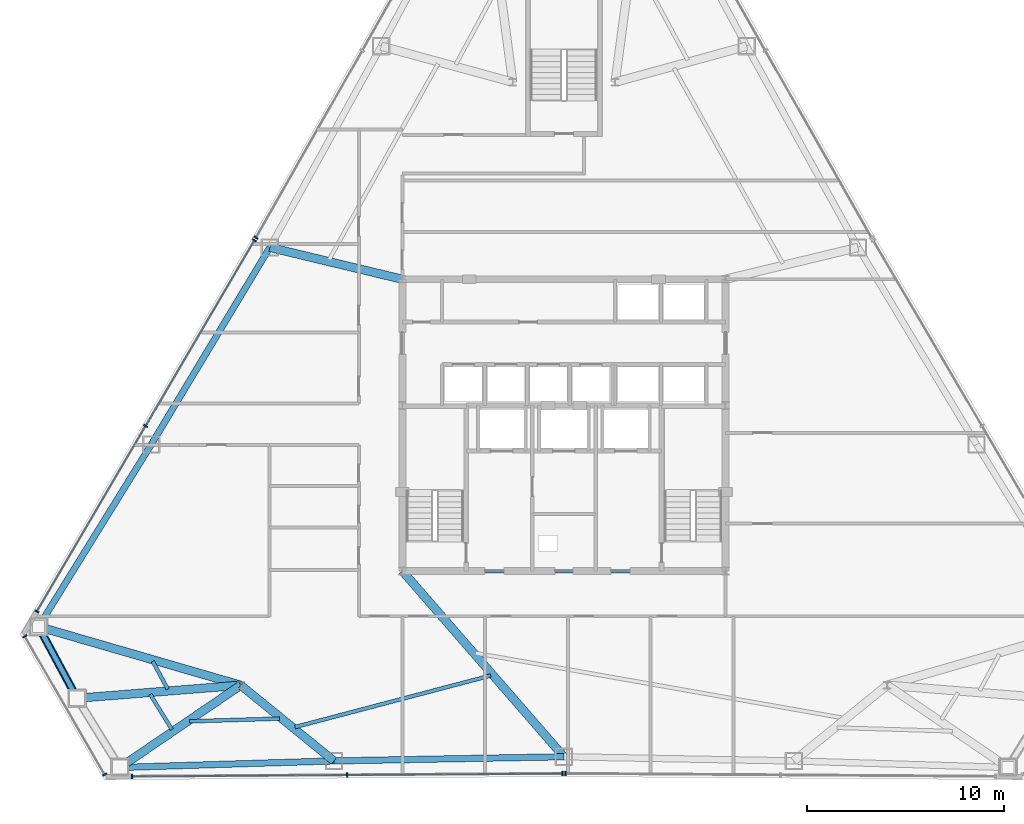
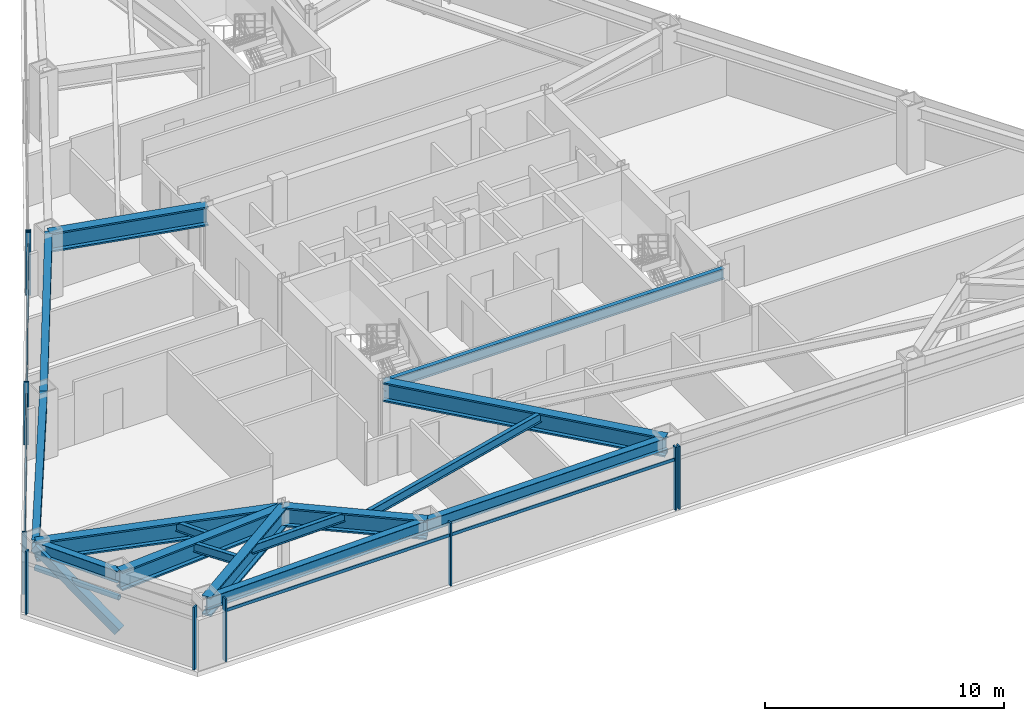
# One storey, part 4 of 13: 16 beams, 14 members, 5 elements without a shape of their own.
"""IFC4 building model written with IfcOpenShell, lengths in metres."""

from ifc_helpers import new_model, si_unit, direction, frame, origin, origin_2d, place, context, subcontext, project, spatial, rectangle, hollow_rectangle, hollow_circle, i_section, extrude, source, transform, mapped, material, layer, layer_set, material_profile, profile_set, type_object, type_shapes, element, aggregate, save


model = new_model("IFC4")

# Units and contexts
model_context = context("Model", 3, precision=1e-05, world=origin(), true_north=direction((0.0, 1.0)))
body_context = subcontext(model_context, "Body", "Model", "MODEL_VIEW")
ifc_project = project(units=[si_unit("LENGTHUNIT", "METRE"), si_unit("AREAUNIT", "SQUARE_METRE"), si_unit("VOLUMEUNIT", "CUBIC_METRE"), si_unit("PLANEANGLEUNIT", "RADIAN"), si_unit("MASSUNIT", "GRAM", prefix="KILO")], contexts=[model_context])

# Site, building, storey
site_placement = place(None, origin())
site = spatial("IfcSite", under=ifc_project, at=site_placement, CompositionType="ELEMENT")
building_placement = place(site_placement, origin())
building = spatial("IfcBuilding", under=site, at=building_placement, Name="Varakhsha Concourse Tower", CompositionType="ELEMENT")
storey_placement = place(building_placement, frame((0.0, 0.0, 136.699951171875)))
storey = spatial("IfcBuildingStorey", under=building, at=storey_placement, Name="L39", CompositionType="ELEMENT", Elevation=136.699951171875)

# Beams
ifc_material_1 = material(Name="Structural Steel ASTM A992 Grade 50", Category="steel")
ifc_material_profile_1 = material_profile(ifc_material_1, i_section(OverallWidth=0.19091796875, OverallDepth=0.45703125, WebThickness=0.009033203125, FlangeThickness=0.013916015625, at=origin_2d()), Name="W18X50")
ifc_profile_set_1 = profile_set([ifc_material_profile_1], Name="Structural Steel ASTM A992 Grade 50")
beam_type_1 = type_object("IfcBeamType", Name="BM-JST-W18X50", PredefinedType="JOIST", material=ifc_profile_set_1)
beam_1_placement = place(storey_placement, frame((19.138671875, 11.811279296875, 2.9814453125), z_axis=(0.474291347454, -0.880367944516, 0.0), x_axis=(0.880367944516, 0.474291347454, 0.0)))
element("IfcBeam", 1, at=beam_1_placement, inside=storey, type_object=beam_type_1, Name="BM-TJST-L39-07", PredefinedType="JOIST", context=body_context, shape_type="SweptSolid", body=[
    extrude(i_section(OverallWidth=0.19091796875, OverallDepth=0.45703125, WebThickness=0.009033203125, FlangeThickness=0.013916015625, at=origin_2d()), origin(), (0.0, 0.0, 1.0), 1.59619140625),
])
beam_2_placement = place(storey_placement, frame((19.009521484375, 10.13623046875, 2.9814453125), z_axis=(0.525321381289, -0.850903899604, 0.0), x_axis=(0.850903899604, 0.525321381289, 0.0)))
element("IfcBeam", 2, at=beam_2_placement, inside=storey, type_object=beam_type_1, Name="BM-TJST-L39-08", PredefinedType="JOIST", context=body_context, shape_type="SweptSolid", body=[
    extrude(i_section(OverallWidth=0.19091796875, OverallDepth=0.45703125, WebThickness=0.009033203125, FlangeThickness=0.013916015625, at=origin_2d()), origin(), (0.0, 0.0, 1.0), 2.09130859375),
])
beam_3_placement = place(storey_placement, frame((21.01171875, 8.76708984375, 2.9814453125), z_axis=(0.999532992697, 0.030558084212, 0.0), x_axis=(-0.030558084212, 0.999532992697, 0.0)))
element("IfcBeam", 3, at=beam_3_placement, inside=storey, type_object=beam_type_1, Name="BM-TJST-L39-09", PredefinedType="JOIST", context=body_context, shape_type="SweptSolid", body=[
    extrude(i_section(OverallWidth=0.19091796875, OverallDepth=0.45703125, WebThickness=0.009033203125, FlangeThickness=0.013916015625, at=origin_2d()), origin(), (0.0, 0.0, 1.0), 4.56201171875),
])
beam_4_placement = place(storey_placement, frame((26.35546875, 8.47705078125, 2.9814453125), z_axis=(0.967049278612, 0.254589262806, 0.0), x_axis=(-0.254589262806, 0.967049278612, 0.0)))
element("IfcBeam", 4, at=beam_4_placement, inside=storey, type_object=beam_type_1, Name="BM-TJST-L39-10", PredefinedType="JOIST", context=body_context, shape_type="SweptSolid", body=[
    extrude(i_section(OverallWidth=0.19091796875, OverallDepth=0.45703125, WebThickness=0.009033203125, FlangeThickness=0.013916015625, at=origin_2d()), origin(), (0.0, 0.0, 1.0), 10.2685546875),
])
ifc_material_profile_2 = material_profile(ifc_material_1, i_section(OverallWidth=0.2109375, OverallDepth=0.5390625, WebThickness=0.011962890625, FlangeThickness=0.01904296875, at=origin_2d()), Name="W21X73")
ifc_profile_set_2 = profile_set([ifc_material_profile_2], Name="Structural Steel ASTM A992 Grade 50")
beam_type_2 = type_object("IfcBeamType", Name="BM-RAD-W21X73", PredefinedType="BEAM", material=ifc_profile_set_2)
beam_5_placement = place(storey_placement, frame((31.800048828125, 16.39990234375, 2.9404296875), z_axis=(1.0, 0.0, 0.0), x_axis=(0.0, 1.0, 0.0)))
element("IfcBeam", 5, at=beam_5_placement, inside=storey, type_object=beam_type_2, Name="BM-TCORE-L39-CS", PredefinedType="BEAM", context=body_context, shape_type="SweptSolid", body=[
    extrude(i_section(OverallWidth=0.2109375, OverallDepth=0.5390625, WebThickness=0.011962890625, FlangeThickness=0.01904296875, at=origin_2d()), origin(), (0.0, 0.0, 1.0), 16.39990234375),
])
ifc_material_profile_3 = material_profile(ifc_material_1, i_section(OverallWidth=0.323974609375, OverallDepth=0.611083984375, WebThickness=0.012939453125, FlangeThickness=0.01904296875, at=origin_2d()), Name="W24X104")
ifc_profile_set_3 = profile_set([ifc_material_profile_3], Name="Structural Steel ASTM A992 Grade 50")
beam_type_3 = type_object("IfcBeamType", Name="BM-SPAN-W24X104", PredefinedType="SPANDREL", material=ifc_profile_set_3)
beam_6_placement = place(storey_placement, frame((25.07861328125, 32.81494140625, 2.904541015625), z_axis=(-0.515584301613, -0.856838857622, 0.0), x_axis=(0.856838857622, -0.515584301613, 0.0)))
element("IfcBeam", 6, at=beam_6_placement, inside=storey, type_object=beam_type_3, Name="BM-SPAN-L39-05", PredefinedType="SPANDREL", context=body_context, shape_type="SweptSolid", body=[
    extrude(i_section(OverallWidth=0.323974609375, OverallDepth=0.611083984375, WebThickness=0.012939453125, FlangeThickness=0.01904296875, at=origin_2d()), origin(), (0.0, 0.0, 1.0), 11.67138671875),
])
beam_7_placement = place(storey_placement, frame((19.06103515625, 22.814453125, 2.904541015625), z_axis=(-0.526244020502, -0.850333599763, 0.0), x_axis=(0.850333599763, -0.526244020502, 0.0)))
element("IfcBeam", 7, at=beam_7_placement, inside=storey, type_object=beam_type_3, Name="BM-SPAN-L39-06", PredefinedType="SPANDREL", context=body_context, shape_type="SweptSolid", body=[
    extrude(i_section(OverallWidth=0.323974609375, OverallDepth=0.611083984375, WebThickness=0.012939453125, FlangeThickness=0.01904296875, at=origin_2d()), origin(), (0.0, 0.0, 1.0), 10.867919921875),
])
beam_8_placement = place(storey_placement, frame((13.341796875, 13.572998046875, 2.904541015625), z_axis=(0.474307913121, -0.880359019691, 0.0), x_axis=(0.880359019691, 0.474307913121, 0.0)))
element("IfcBeam", 8, at=beam_8_placement, inside=storey, type_object=beam_type_3, Name="BM-SPAN-L39-07", PredefinedType="SPANDREL", context=body_context, shape_type="SweptSolid", body=[
    extrude(i_section(OverallWidth=0.323974609375, OverallDepth=0.611083984375, WebThickness=0.012939453125, FlangeThickness=0.01904296875, at=origin_2d()), origin(), (0.0, 0.0, 1.0), 4.127685546875),
])
beam_9_placement = place(storey_placement, frame((17.4677734375, 6.4267578125, 2.904541015625), z_axis=(0.999532503113, 0.030574093962, 0.0), x_axis=(-0.030574093962, 0.999532503113, 0.0)))
element("IfcBeam", 9, at=beam_9_placement, inside=storey, type_object=beam_type_3, Name="BM-SPAN-L39-09", PredefinedType="SPANDREL", context=body_context, shape_type="SweptSolid", body=[
    extrude(i_section(OverallWidth=0.323974609375, OverallDepth=0.611083984375, WebThickness=0.012939453125, FlangeThickness=0.01904296875, at=origin_2d()), origin(), (0.0, 0.0, 1.0), 10.867919921875),
])
beam_10_placement = place(storey_placement, frame((28.33056640625, 6.759033203125, 2.904541015625), z_axis=(0.99983628966, 0.018094028841, 0.0), x_axis=(-0.018094028841, 0.99983628966, 0.0)))
element("IfcBeam", 10, at=beam_10_placement, inside=storey, type_object=beam_type_3, Name="BM-SPAN-L39-10", PredefinedType="SPANDREL", context=body_context, shape_type="SweptSolid", body=[
    extrude(i_section(OverallWidth=0.323974609375, OverallDepth=0.611083984375, WebThickness=0.012939453125, FlangeThickness=0.01904296875, at=origin_2d()), origin(), (0.0, 0.0, 1.0), 11.67138671875),
])
ifc_material_profile_4 = material_profile(ifc_material_1, i_section(OverallWidth=0.427978515625, OverallDepth=0.97509765625, WebThickness=0.050048828125, FlangeThickness=0.0810546875, at=origin_2d()), Name="W36X395")
ifc_profile_set_4 = profile_set([ifc_material_profile_4], Name="Structural Steel ASTM A992 Grade 50")
beam_type_4 = type_object("IfcBeamType", Name="BM-XFER-W36X395", PredefinedType="USERDEFINED", material=ifc_profile_set_4)
beam_11_placement = place(storey_placement, frame((31.800048828125, 31.199951171875, 2.72265625), z_axis=(-0.972326679088, 0.233625403442, 0.0), x_axis=(-0.233625403442, -0.972326679088, 0.0)))
element("IfcBeam", 11, at=beam_11_placement, inside=storey, type_object=beam_type_4, Name="L39 Radial Floor Girder 05", ObjectType="GIRDER", PredefinedType="USERDEFINED", context=body_context, shape_type="SweptSolid", body=[
    extrude(i_section(OverallWidth=0.427978515625, OverallDepth=0.97509765625, WebThickness=0.050048828125, FlangeThickness=0.0810546875, at=origin_2d()), origin(), (0.0, 0.0, 1.0), 6.912841796875),
])
beam_12_placement = place(storey_placement, frame((23.60009765625, 10.60009765625, 2.72265625), z_axis=(-0.960479386688, 0.27835112313, 0.0), x_axis=(-0.27835112313, -0.960479386688, 0.0)))
element("IfcBeam", 12, at=beam_12_placement, inside=storey, type_object=beam_type_4, Name="L39 Radial Floor Girder 07", ObjectType="GIRDER", PredefinedType="USERDEFINED", context=body_context, shape_type="SweptSolid", body=[
    extrude(i_section(OverallWidth=0.427978515625, OverallDepth=0.97509765625, WebThickness=0.050048828125, FlangeThickness=0.0810546875, at=origin_2d()), origin(), (0.0, 0.0, 1.0), 10.680419921875),
])
beam_13_placement = place(storey_placement, frame((23.60009765625, 10.60009765625, 2.72265625), z_axis=(-0.996845319741, -0.079368813216, 0.0), x_axis=(0.079368813216, -0.996845319741, 0.0)))
element("IfcBeam", 13, at=beam_13_placement, inside=storey, type_object=beam_type_4, Name="L39 Radial Floor Girder 08", ObjectType="GIRDER", PredefinedType="USERDEFINED", context=body_context, shape_type="SweptSolid", body=[
    extrude(i_section(OverallWidth=0.427978515625, OverallDepth=0.97509765625, WebThickness=0.050048828125, FlangeThickness=0.0810546875, at=origin_2d()), origin(), (0.0, 0.0, 1.0), 8.326904296875),
])
beam_14_placement = place(storey_placement, frame((23.60009765625, 10.60009765625, 2.72265625), z_axis=(-0.826715856681, -0.562619669325, 0.0), x_axis=(0.562619669325, -0.826715856681, 0.0)))
element("IfcBeam", 14, at=beam_14_placement, inside=storey, type_object=beam_type_4, Name="L39 Radial Floor Girder 09", ObjectType="GIRDER", PredefinedType="USERDEFINED", context=body_context, shape_type="SweptSolid", body=[
    extrude(i_section(OverallWidth=0.427978515625, OverallDepth=0.97509765625, WebThickness=0.050048828125, FlangeThickness=0.0810546875, at=origin_2d()), origin(), (0.0, 0.0, 1.0), 7.417724609375),
])
beam_15_placement = place(storey_placement, frame((23.60009765625, 10.60009765625, 2.72265625), z_axis=(0.776310048097, -0.630351258604, 0.0), x_axis=(0.630351258604, 0.776310048097, 0.0)))
element("IfcBeam", 15, at=beam_15_placement, inside=storey, type_object=beam_type_4, Name="L39 Radial Floor Girder 10", ObjectType="GIRDER", PredefinedType="USERDEFINED", context=body_context, shape_type="SweptSolid", body=[
    extrude(i_section(OverallWidth=0.427978515625, OverallDepth=0.97509765625, WebThickness=0.050048828125, FlangeThickness=0.0810546875, at=origin_2d()), origin(), (0.0, 0.0, 1.0), 6.093505859375),
])
beam_16_placement = place(storey_placement, frame((31.800048828125, 16.39990234375, 2.72265625), z_axis=(0.656188872418, -0.754596689441, 0.0), x_axis=(0.754596689441, 0.656188872418, 0.0)))
element("IfcBeam", 16, at=beam_16_placement, inside=storey, type_object=beam_type_4, Name="L39 Radial Floor Girder 11", ObjectType="GIRDER", PredefinedType="USERDEFINED", context=body_context, shape_type="SweptSolid", body=[
    extrude(i_section(OverallWidth=0.427978515625, OverallDepth=0.97509765625, WebThickness=0.050048828125, FlangeThickness=0.0810546875, at=origin_2d()), origin(), (0.0, 0.0, 1.0), 12.496337890625),
])

# Members
ifc_material_2 = material(Name="Structural Steel ASTM A500 Grade C", Category="steel")
ifc_material_profile_5 = material_profile(ifc_material_2, hollow_rectangle(XDim=0.39990234375, YDim=0.39990234375, WallThickness=0.01611328125, at=origin_2d()), Name="HSS 400x400x16")
ifc_profile_set_5 = profile_set([ifc_material_profile_5], Name="Structural Steel ASTM A500 Grade C")
member_type_1 = type_object("IfcMemberType", Name="MB-TUBE-HSS400", PredefinedType="BRACE", material=ifc_profile_set_5)
shared_shape_1 = source(origin(), body_context, "Body", "SweptSolid", [
    extrude(hollow_rectangle(XDim=0.39990234375, YDim=0.39990234375, WallThickness=0.01611328125, at=origin_2d()), origin(), (0.0, 0.0, 1.0), 4.982177734375),
])
type_shapes(member_type_1, [shared_shape_1])
member_1_placement = place(storey_placement, frame((15.299560546875, 9.939208984375, 0.1201171875), z_axis=(-0.392957478485, 0.729365146498, 0.560009734895), x_axis=(-0.880359019691, -0.474307913121, 0.0)))
element("IfcMember", 17, at=member_1_placement, inside=storey, type_object=member_type_1, Name="L39 Wind-Corner Tube Brace B03", PredefinedType="BRACE", context=body_context, shape_type="MappedRepresentation", body=[
    mapped(shared_shape_1, transform((0.0, 0.0, 0.0), scale=1.0)),
])
ifc_material_profile_6 = material_profile(ifc_material_2, hollow_circle(Radius=0.136474609375, WallThickness=0.011962890625, at=origin_2d()), Name="CHS 273x12")
ifc_profile_set_6 = profile_set([ifc_material_profile_6], Name="Structural Steel ASTM A500 Grade C")
member_type_2 = type_object("IfcMemberType", Name="MB-WIND-CHS273", PredefinedType="COLLAR", material=ifc_profile_set_6)
shared_shape_2 = source(origin(), body_context, "Body", "SweptSolid", [
    extrude(hollow_circle(Radius=0.136474609375, WallThickness=0.011962890625, at=origin_2d()), origin(), (0.0, 0.0, 1.0), 4.127685546875),
])
type_shapes(member_type_2, [shared_shape_2])
member_2_placement = place(storey_placement, frame((13.341796875, 13.572998046875, 1.800048828125), z_axis=(0.474307913121, -0.880359019691, 0.0), x_axis=(0.880359019691, 0.474307913121, 0.0)))
element("IfcMember", 18, at=member_2_placement, inside=storey, type_object=member_type_2, Name="L39 Wind-Corner Collar Tie 2", PredefinedType="COLLAR", context=body_context, shape_type="MappedRepresentation", body=[
    mapped(shared_shape_2, transform((0.0, 0.0, 0.0), scale=1.0)),
])

# Curtain wall, member
ifc_material_3 = material(Name="Anodised Bronze Architectural Aluminium AA 6063-T6", Category="aluminium")
ifc_layer = layer(ifc_material_3, 0.2099609375, Name="CW-SYS-04")
ifc_layer_set = layer_set([ifc_layer], Name="Anodised Bronze Architectural Aluminium AA 6063-T6")
curtain_wall_type = type_object("IfcCurtainWallType", Name="CW-SYS-04", PredefinedType="NOTDEFINED", material=ifc_layer_set)
curtain_wall_1_placement = place(storey_placement, origin())
curtain_wall_1 = element("IfcCurtainWall", 19, at=curtain_wall_1_placement, inside=storey, type_object=curtain_wall_type, Name="L39 Crystal Curtain Wall F2", PredefinedType="NOTDEFINED")
ifc_material_profile_7 = material_profile(ifc_material_3, rectangle(XDim=0.074951171875, YDim=0.219970703125, at=origin_2d()), Name="CWM-220X75")
ifc_profile_set_7 = profile_set([ifc_material_profile_7], Name="Anodised Bronze Architectural Aluminium AA 6063-T6")
member_type_3 = type_object("IfcMemberType", Name="CWM-220X75", PredefinedType="MULLION", material=ifc_profile_set_7)
shared_shape_3 = source(origin(), body_context, "Body", "SweptSolid", [
    extrude(rectangle(XDim=0.074951171875, YDim=0.219970703125, at=origin_2d()), origin(), (0.0, 0.0, 1.0), 3.2099609375),
])
type_shapes(member_type_3, [shared_shape_3])
member_3_placement = place(storey_placement, frame((24.380859375, 33.311279296875, 0.0), z_axis=(0.0, 0.0, 1.0), x_axis=(0.494114858069, 0.8693966339, 0.0)))
member_3 = element("IfcMember", 20, at=member_3_placement, type_object=member_type_3, Name="CW-L39-F2 Mullion 00", PredefinedType="MULLION", context=body_context, shape_type="MappedRepresentation", body=[
    mapped(shared_shape_3, transform((0.0, 0.0, 0.0), scale=1.0)),
])
aggregate(curtain_wall_1, [member_3])

# Curtain wall, members
curtain_wall_2_placement = place(storey_placement, origin())
curtain_wall_2 = element("IfcCurtainWall", 21, at=curtain_wall_2_placement, inside=storey, type_object=curtain_wall_type, Name="L39 Crystal Curtain Wall F3", PredefinedType="NOTDEFINED")
member_4_placement = place(storey_placement, frame((13.258056640625, 14.34228515625, 0.0), z_axis=(0.0, 0.0, 1.0), x_axis=(0.505862141887, 0.862614336424, 0.0)))
member_4 = element("IfcMember", 22, at=member_4_placement, type_object=member_type_3, Name="CW-L39-F3 Mullion 00", PredefinedType="MULLION", context=body_context, shape_type="MappedRepresentation", body=[
    mapped(shared_shape_3, transform((0.0, 0.0, 0.0), scale=1.0)),
])
member_5_placement = place(storey_placement, frame((18.77880859375, 23.756591796875, 0.0), z_axis=(0.0, 0.0, 1.0), x_axis=(0.505862141887, 0.862614336424, 0.0)))
member_5 = element("IfcMember", 23, at=member_5_placement, type_object=member_type_3, Name="CW-L39-F3 Mullion 01", PredefinedType="MULLION", context=body_context, shape_type="MappedRepresentation", body=[
    mapped(shared_shape_3, transform((0.0, 0.0, 0.0), scale=1.0)),
])
member_6_placement = place(storey_placement, frame((24.2998046875, 33.1708984375, 0.0), z_axis=(0.0, 0.0, 1.0), x_axis=(0.505862141887, 0.862614336424, 0.0)))
member_6 = element("IfcMember", 24, at=member_6_placement, type_object=member_type_3, Name="CW-L39-F3 Mullion 02", PredefinedType="MULLION", context=body_context, shape_type="MappedRepresentation", body=[
    mapped(shared_shape_3, transform((0.0, 0.0, 0.0), scale=1.0)),
])

curtain_wall_3_placement = place(storey_placement, origin())
curtain_wall_3 = element("IfcCurtainWall", 25, at=curtain_wall_3_placement, inside=storey, type_object=curtain_wall_type, Name="L39 Chamfer Curtain Wall F4", PredefinedType="NOTDEFINED")
member_7_placement = place(storey_placement, frame((16.701904296875, 6.070556640625, 0.0), z_axis=(0.0, 0.0, 1.0), x_axis=(-0.5, 0.866025403784, 0.0)))
member_7 = element("IfcMember", 26, at=member_7_placement, type_object=member_type_3, Name="CW-L39-F4 Mullion 00", PredefinedType="MULLION", context=body_context, shape_type="MappedRepresentation", body=[
    mapped(shared_shape_3, transform((0.0, 0.0, 0.0), scale=1.0)),
])
member_8_placement = place(storey_placement, frame((12.650390625, 13.087890625, 0.0), z_axis=(0.0, 0.0, 1.0), x_axis=(-0.5, 0.866025403784, 0.0)))
member_8 = element("IfcMember", 27, at=member_8_placement, type_object=member_type_3, Name="CW-L39-F4 Mullion 01", PredefinedType="MULLION", context=body_context, shape_type="MappedRepresentation", body=[
    mapped(shared_shape_3, transform((0.0, 0.0, 0.0), scale=1.0)),
])
aggregate(curtain_wall_3, [member_7, member_8])

curtain_wall_4_placement = place(storey_placement, origin())
curtain_wall_4 = element("IfcCurtainWall", 28, at=curtain_wall_4_placement, inside=storey, type_object=curtain_wall_type, Name="L39 Crystal Curtain Wall F5", PredefinedType="NOTDEFINED")
member_9_placement = place(storey_placement, frame((39.9189453125, 6.11767578125, 0.0), z_axis=(0.0, 0.0, 1.0), x_axis=(-0.999976976275, -0.006785788053, 0.0)))
member_9 = element("IfcMember", 29, at=member_9_placement, type_object=member_type_3, Name="CW-L39-F5 Mullion 00", PredefinedType="MULLION", context=body_context, shape_type="MappedRepresentation", body=[
    mapped(shared_shape_3, transform((0.0, 0.0, 0.0), scale=1.0)),
])
member_10_placement = place(storey_placement, frame((29.005615234375, 6.043701171875, 0.0), z_axis=(0.0, 0.0, 1.0), x_axis=(-0.999976976275, -0.006785788053, 0.0)))
member_10 = element("IfcMember", 30, at=member_10_placement, type_object=member_type_3, Name="CW-L39-F5 Mullion 01", PredefinedType="MULLION", context=body_context, shape_type="MappedRepresentation", body=[
    mapped(shared_shape_3, transform((0.0, 0.0, 0.0), scale=1.0)),
])
member_11_placement = place(storey_placement, frame((18.092041015625, 5.969482421875, 0.0), z_axis=(0.0, 0.0, 1.0), x_axis=(-0.999976976275, -0.006785788053, 0.0)))
member_11 = element("IfcMember", 31, at=member_11_placement, type_object=member_type_3, Name="CW-L39-F5 Mullion 02", PredefinedType="MULLION", context=body_context, shape_type="MappedRepresentation", body=[
    mapped(shared_shape_3, transform((0.0, 0.0, 0.0), scale=1.0)),
])

# Curtain wall, member
curtain_wall_5_placement = place(storey_placement, origin())
curtain_wall_5 = element("IfcCurtainWall", 32, at=curtain_wall_5_placement, inside=storey, type_object=curtain_wall_type, Name="L39 Crystal Curtain Wall F6", PredefinedType="NOTDEFINED")
member_12_placement = place(storey_placement, frame((40.0810546875, 6.11767578125, 0.0), z_axis=(0.0, 0.0, 1.0), x_axis=(-0.999976976275, 0.006785788053, 0.0)))
member_12 = element("IfcMember", 33, at=member_12_placement, type_object=member_type_3, Name="CW-L39-F6 Mullion 02", PredefinedType="MULLION", context=body_context, shape_type="MappedRepresentation", body=[
    mapped(shared_shape_3, transform((0.0, 0.0, 0.0), scale=1.0)),
])
aggregate(curtain_wall_5, [member_12])

# Member
ifc_material_profile_8 = material_profile(ifc_material_3, rectangle(XDim=0.06494140625, YDim=0.159912109375, at=origin_2d()), Name="CWT-160X65")
ifc_profile_set_8 = profile_set([ifc_material_profile_8], Name="Anodised Bronze Architectural Aluminium AA 6063-T6")
member_type_4 = type_object("IfcMemberType", Name="CWT-160X65", PredefinedType="USERDEFINED", material=ifc_profile_set_8)
shared_shape_4 = source(origin(), body_context, "Body", "SweptSolid", [
    extrude(rectangle(XDim=0.06494140625, YDim=0.159912109375, at=origin_2d()), origin(), (0.0, 0.0, 1.0), 21.827392578125),
])
type_shapes(member_type_4, [shared_shape_4])
member_13_placement = place(storey_placement, frame((13.258056640625, 14.34228515625, 2.56005859375), z_axis=(0.505865600698, 0.862612308068, 0.0), x_axis=(-0.862612308068, 0.505865600698, 0.0)))
member_13 = element("IfcMember", 34, at=member_13_placement, type_object=member_type_4, Name="CW-L39-F3 Transom 01", ObjectType="TRANSOM", PredefinedType="USERDEFINED", context=body_context, shape_type="MappedRepresentation", body=[
    mapped(shared_shape_4, transform((0.0, 0.0, 0.0), scale=1.0)),
])

aggregate(curtain_wall_2, [member_4, member_5, member_6, member_13])

member_14_placement = place(storey_placement, frame((39.9189453125, 6.11767578125, 2.56005859375), z_axis=(-0.999976952268, -0.006789324855, 0.0), x_axis=(0.006789324855, -0.999976952268, 0.0)))
member_14 = element("IfcMember", 35, at=member_14_placement, type_object=member_type_4, Name="CW-L39-F5 Transom 01", ObjectType="TRANSOM", PredefinedType="USERDEFINED", context=body_context, shape_type="MappedRepresentation", body=[
    mapped(shared_shape_4, transform((0.0, 0.0, 0.0), scale=1.0)),
])

aggregate(curtain_wall_4, [member_9, member_10, member_11, member_14])

save(model, "model.ifc")
